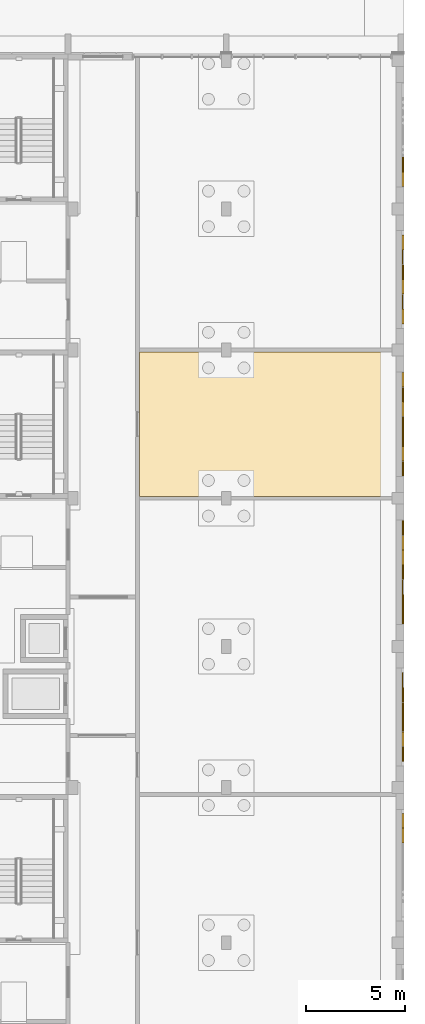
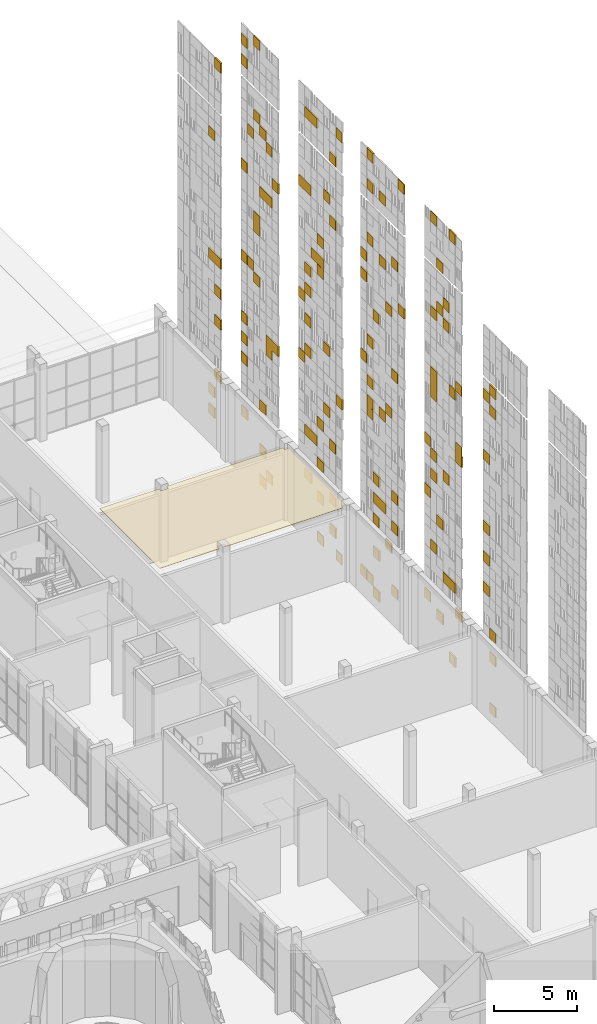
# One storey, part 111 of 125: 2 coverings.
"""IFC4 building model written with IfcOpenShell, lengths in metres."""

from ifc_helpers import new_model, si_unit, direction, frame, origin, origin_2d, place, context, subcontext, project, spatial, polyline, rectangle, outline, extrude, material, layer, layer_set, type_object, element, save


model = new_model("IFC4")

# Units and contexts
model_context = context("Model", 3, precision=1e-05, world=origin(), true_north=direction((0.0, 1.0)))
body_context = subcontext(model_context, "Body", "Model", "MODEL_VIEW")
ifc_project = project(units=[si_unit("LENGTHUNIT", "METRE"), si_unit("AREAUNIT", "SQUARE_METRE"), si_unit("VOLUMEUNIT", "CUBIC_METRE"), si_unit("PLANEANGLEUNIT", "RADIAN"), si_unit("MASSUNIT", "GRAM", prefix="KILO")], contexts=[model_context])

# Site, building, storey
site_placement = place(None, origin())
site = spatial("IfcSite", under=ifc_project, at=site_placement, CompositionType="ELEMENT")
building_placement = place(site_placement, origin())
building = spatial("IfcBuilding", under=site, at=building_placement, Name="Sun Court Science Centre", CompositionType="ELEMENT")
storey_placement = place(building_placement, origin())
storey = spatial("IfcBuildingStorey", under=building, at=storey_placement, Name="L00", CompositionType="ELEMENT", Elevation=0.0)

# Coverings
ifc_material_1 = material(Name="Gypsum board")
ifc_layer_1 = layer(ifc_material_1, 0.030029296875)
ifc_layer_set_1 = layer_set([ifc_layer_1], Name="Gypsum board")
covering_type_1 = type_object("IfcCoveringType", Name="Ceiling suspended 600 module", PredefinedType="CEILING", material=ifc_layer_set_1)
covering_1_placement = place(storey_placement, frame((0.0, 0.0, 5.27001953125)))
element("IfcCovering", 1, at=covering_1_placement, inside=storey, type_object=covering_type_1, Name="L00-056 ceiling", PredefinedType="CEILING", context=body_context, shape_type="SweptSolid", body=[
    extrude(outline(polyline([(103.39990234375, 58.60009765625), (95.25, 58.60009765625), (95.25, 58.85009765625), (94.75, 58.85009765625), (94.75, 58.60009765625), (90.60009765625, 58.60009765625), (90.60009765625, 65.89990234375), (94.75, 65.89990234375), (94.75, 65.64990234375), (95.25, 65.64990234375), (95.25, 65.89990234375), (103.39990234375, 65.89990234375), (103.39990234375, 65.699951171875), (103.800048828125, 65.699951171875), (103.800048828125, 58.800048828125), (103.39990234375, 58.800048828125), (103.39990234375, 58.60009765625)])), origin(), (0.0, 0.0, 1.0), 0.030029296875),
])
ifc_material_2 = material(Name="Terracotta shade 5", Category="masonry")
ifc_layer_2 = layer(ifc_material_2, 0.06005859375)
ifc_layer_set_2 = layer_set([ifc_layer_2], Name="Terracotta shade 5")
covering_type_2 = type_object("IfcCoveringType", Name="Terracotta pixel panel shade 5", PredefinedType="CLADDING", material=ifc_layer_set_2)
covering_2_placement = place(storey_placement, origin())
element("IfcCovering", 2, at=covering_2_placement, inside=storey, type_object=covering_type_2, Name="Terracotta pixel cladding shade 5 east party wall L00", PredefinedType="CLADDING", context=body_context, shape_type="SweptSolid", body=[
    extrude(rectangle(XDim=0.739990234375, YDim=0.06005859375, at=origin_2d()), frame((103.929931640625, 41.425048828125, 0.22998046875), z_axis=(0.0, 0.0, 1.0), x_axis=(0.0, -1.0, 0.0)), (0.0, 0.0, 1.0), 0.739990234375),
    extrude(rectangle(XDim=0.739990234375, YDim=0.06005859375, at=origin_2d()), frame((103.929931640625, 41.425048828125, 3.97998046875), z_axis=(0.0, 0.0, 1.0), x_axis=(0.0, -1.0, 0.0)), (0.0, 0.0, 1.0), 0.739990234375),
    extrude(rectangle(XDim=0.739990234375, YDim=0.10009765625, at=origin_2d()), frame((103.949951171875, 46.300048828125, 0.97998046875), z_axis=(0.0, 0.0, 1.0), x_axis=(0.0, -1.0, 0.0)), (0.0, 0.0, 1.0), 0.739990234375),
    extrude(rectangle(XDim=0.739990234375, YDim=0.10009765625, at=origin_2d()), frame((103.949951171875, 47.800048828125, 3.22998046875), z_axis=(0.0, 0.0, 1.0), x_axis=(0.0, -1.0, 0.0)), (0.0, 0.0, 1.0), 0.739990234375),
    extrude(rectangle(XDim=0.739990234375, YDim=0.06005859375, at=origin_2d()), frame((103.929931640625, 49.300048828125, 3.97998046875), z_axis=(0.0, 0.0, 1.0), x_axis=(0.0, -1.0, 0.0)), (0.0, 0.0, 1.0), 0.739990234375),
    extrude(rectangle(XDim=0.739990234375, YDim=0.10009765625, at=origin_2d()), frame((103.949951171875, 45.550048828125, 4.72998046875), z_axis=(0.0, 0.0, 1.0), x_axis=(0.0, -1.0, 0.0)), (0.0, 0.0, 1.0), 0.739990234375),
    extrude(rectangle(XDim=0.739990234375, YDim=0.10009765625, at=origin_2d()), frame((103.949951171875, 55.5, 0.22998046875), z_axis=(0.0, 0.0, 1.0), x_axis=(0.0, -1.0, 0.0)), (0.0, 0.0, 1.0), 0.739990234375),
    extrude(rectangle(XDim=0.739990234375, YDim=0.10009765625, at=origin_2d()), frame((103.949951171875, 57.0, 0.97998046875), z_axis=(0.0, 0.0, 1.0), x_axis=(0.0, -1.0, 0.0)), (0.0, 0.0, 1.0), 0.739990234375),
    extrude(rectangle(XDim=0.739990234375, YDim=0.06005859375, at=origin_2d()), frame((103.929931640625, 56.25, 0.97998046875), z_axis=(0.0, 0.0, 1.0), x_axis=(0.0, -1.0, 0.0)), (0.0, 0.0, 1.0), 0.739990234375),
    extrude(rectangle(XDim=0.739990234375, YDim=0.06005859375, at=origin_2d()), frame((103.929931640625, 53.25, 1.72998046875), z_axis=(0.0, 0.0, 1.0), x_axis=(0.0, -1.0, 0.0)), (0.0, 0.0, 1.0), 0.739990234375),
    extrude(rectangle(XDim=0.739990234375, YDim=0.10009765625, at=origin_2d()), frame((103.949951171875, 55.5, 3.22998046875), z_axis=(0.0, 0.0, 1.0), x_axis=(0.0, -1.0, 0.0)), (0.0, 0.0, 1.0), 0.739990234375),
    extrude(rectangle(XDim=0.739990234375, YDim=0.06005859375, at=origin_2d()), frame((103.929931640625, 54.0, 4.72998046875), z_axis=(0.0, 0.0, 1.0), x_axis=(0.0, -1.0, 0.0)), (0.0, 0.0, 1.0), 0.739990234375),
    extrude(rectangle(XDim=0.739990234375, YDim=0.06005859375, at=origin_2d()), frame((103.929931640625, 62.25, 0.22998046875), z_axis=(0.0, 0.0, 1.0), x_axis=(0.0, -1.0, 0.0)), (0.0, 0.0, 1.0), 0.739990234375),
    extrude(rectangle(XDim=0.739990234375, YDim=0.06005859375, at=origin_2d()), frame((103.929931640625, 60.0, 0.22998046875), z_axis=(0.0, 0.0, 1.0), x_axis=(0.0, -1.0, 0.0)), (0.0, 0.0, 1.0), 0.739990234375),
    extrude(rectangle(XDim=0.739990234375, YDim=0.10009765625, at=origin_2d()), frame((103.949951171875, 60.75, 1.72998046875), z_axis=(0.0, 0.0, 1.0), x_axis=(0.0, -1.0, 0.0)), (0.0, 0.0, 1.0), 0.739990234375),
    extrude(rectangle(XDim=0.739990234375, YDim=0.06005859375, at=origin_2d()), frame((103.929931640625, 62.25, 3.22998046875), z_axis=(0.0, 0.0, 1.0), x_axis=(0.0, -1.0, 0.0)), (0.0, 0.0, 1.0), 0.739990234375),
    extrude(rectangle(XDim=0.739990234375, YDim=0.10009765625, at=origin_2d()), frame((103.949951171875, 63.75, 3.97998046875), z_axis=(0.0, 0.0, 1.0), x_axis=(0.0, -1.0, 0.0)), (0.0, 0.0, 1.0), 0.739990234375),
    extrude(rectangle(XDim=0.739990234375, YDim=0.06005859375, at=origin_2d()), frame((103.929931640625, 60.75, 3.97998046875), z_axis=(0.0, 0.0, 1.0), x_axis=(0.0, -1.0, 0.0)), (0.0, 0.0, 1.0), 0.739990234375),
    extrude(rectangle(XDim=0.739990234375, YDim=0.06005859375, at=origin_2d()), frame((103.929931640625, 69.199951171875, 0.22998046875), z_axis=(0.0, 0.0, 1.0), x_axis=(0.0, -1.0, 0.0)), (0.0, 0.0, 1.0), 0.739990234375),
    extrude(rectangle(XDim=0.739990234375, YDim=0.06005859375, at=origin_2d()), frame((103.929931640625, 68.449951171875, 0.97998046875), z_axis=(0.0, 0.0, 1.0), x_axis=(0.0, -1.0, 0.0)), (0.0, 0.0, 1.0), 0.739990234375),
    extrude(rectangle(XDim=0.739990234375, YDim=0.06005859375, at=origin_2d()), frame((103.929931640625, 69.199951171875, 2.47998046875), z_axis=(0.0, 0.0, 1.0), x_axis=(0.0, -1.0, 0.0)), (0.0, 0.0, 1.0), 0.739990234375),
    extrude(rectangle(XDim=0.739990234375, YDim=0.10009765625, at=origin_2d()), frame((103.949951171875, 71.449951171875, 3.97998046875), z_axis=(0.0, 0.0, 1.0), x_axis=(0.0, -1.0, 0.0)), (0.0, 0.0, 1.0), 0.739990234375),
    extrude(rectangle(XDim=0.739990234375, YDim=0.10009765625, at=origin_2d()), frame((103.949951171875, 75.39990234375, 1.72998046875), z_axis=(0.0, 0.0, 1.0), x_axis=(0.0, -1.0, 0.0)), (0.0, 0.0, 1.0), 0.739990234375),
    extrude(rectangle(XDim=0.739990234375, YDim=0.10009765625, at=origin_2d()), frame((103.949951171875, 75.39990234375, 3.22998046875), z_axis=(0.0, 0.0, 1.0), x_axis=(0.0, -1.0, 0.0)), (0.0, 0.0, 1.0), 0.739990234375),
    extrude(rectangle(XDim=0.739990234375, YDim=0.10009765625, at=origin_2d()), frame((103.949951171875, 74.64990234375, 4.72998046875), z_axis=(0.0, 0.0, 1.0), x_axis=(0.0, -1.0, 0.0)), (0.0, 0.0, 1.0), 0.739990234375),
    extrude(rectangle(XDim=0.739990234375, YDim=0.06005859375, at=origin_2d()), frame((103.929931640625, 41.425048828125, 5.705078125), z_axis=(0.0, 0.0, 1.0), x_axis=(0.0, -1.0, 0.0)), (0.0, 0.0, 1.0), 0.739990234375),
    extrude(rectangle(XDim=0.739990234375, YDim=0.10009765625, at=origin_2d()), frame((103.949951171875, 42.175048828125, 8.705078125), z_axis=(0.0, 0.0, 1.0), x_axis=(0.0, -1.0, 0.0)), (0.0, 0.0, 1.0), 0.739990234375),
    extrude(rectangle(XDim=0.739990234375, YDim=0.06005859375, at=origin_2d()), frame((103.929931640625, 47.050048828125, 6.455078125), z_axis=(0.0, 0.0, 1.0), x_axis=(0.0, -1.0, 0.0)), (0.0, 0.0, 1.0), 0.739990234375),
    extrude(rectangle(XDim=0.739990234375, YDim=0.10009765625, at=origin_2d()), frame((103.949951171875, 46.300048828125, 6.455078125), z_axis=(0.0, 0.0, 1.0), x_axis=(0.0, -1.0, 0.0)), (0.0, 0.0, 1.0), 0.739990234375),
    extrude(rectangle(XDim=0.739990234375, YDim=0.06005859375, at=origin_2d()), frame((103.929931640625, 48.550048828125, 7.955078125), z_axis=(0.0, 0.0, 1.0), x_axis=(0.0, -1.0, 0.0)), (0.0, 0.0, 1.0), 0.739990234375),
    extrude(rectangle(XDim=0.739990234375, YDim=0.10009765625, at=origin_2d()), frame((103.949951171875, 47.800048828125, 10.205078125), z_axis=(0.0, 0.0, 1.0), x_axis=(0.0, -1.0, 0.0)), (0.0, 0.0, 1.0), 0.739990234375),
    extrude(rectangle(XDim=0.739990234375, YDim=0.06005859375, at=origin_2d()), frame((103.929931640625, 55.5, 5.705078125), z_axis=(0.0, 0.0, 1.0), x_axis=(0.0, -1.0, 0.0)), (0.0, 0.0, 1.0), 0.739990234375),
    extrude(rectangle(XDim=0.739990234375, YDim=0.10009765625, at=origin_2d()), frame((103.949951171875, 53.25, 6.455078125), z_axis=(0.0, 0.0, 1.0), x_axis=(0.0, -1.0, 0.0)), (0.0, 0.0, 1.0), 0.739990234375),
    extrude(rectangle(XDim=0.739990234375, YDim=0.06005859375, at=origin_2d()), frame((103.929931640625, 55.5, 7.205078125), z_axis=(0.0, 0.0, 1.0), x_axis=(0.0, -1.0, 0.0)), (0.0, 0.0, 1.0), 0.739990234375),
    extrude(rectangle(XDim=0.739990234375, YDim=0.10009765625, at=origin_2d()), frame((103.949951171875, 54.75, 7.205078125), z_axis=(0.0, 0.0, 1.0), x_axis=(0.0, -1.0, 0.0)), (0.0, 0.0, 1.0), 0.739990234375),
    extrude(rectangle(XDim=0.739990234375, YDim=0.10009765625, at=origin_2d()), frame((103.949951171875, 55.5, 8.705078125), z_axis=(0.0, 0.0, 1.0), x_axis=(0.0, -1.0, 0.0)), (0.0, 0.0, 1.0), 0.739990234375),
    extrude(rectangle(XDim=0.739990234375, YDim=0.10009765625, at=origin_2d()), frame((103.949951171875, 53.25, 8.705078125), z_axis=(0.0, 0.0, 1.0), x_axis=(0.0, -1.0, 0.0)), (0.0, 0.0, 1.0), 0.739990234375),
    extrude(rectangle(XDim=0.739990234375, YDim=0.10009765625, at=origin_2d()), frame((103.949951171875, 62.25, 5.705078125), z_axis=(0.0, 0.0, 1.0), x_axis=(0.0, -1.0, 0.0)), (0.0, 0.0, 1.0), 0.739990234375),
    extrude(rectangle(XDim=0.739990234375, YDim=0.10009765625, at=origin_2d()), frame((103.949951171875, 63.75, 7.205078125), z_axis=(0.0, 0.0, 1.0), x_axis=(0.0, -1.0, 0.0)), (0.0, 0.0, 1.0), 0.739990234375),
    extrude(rectangle(XDim=0.739990234375, YDim=0.06005859375, at=origin_2d()), frame((103.929931640625, 63.0, 7.205078125), z_axis=(0.0, 0.0, 1.0), x_axis=(0.0, -1.0, 0.0)), (0.0, 0.0, 1.0), 0.739990234375),
    extrude(rectangle(XDim=0.739990234375, YDim=0.06005859375, at=origin_2d()), frame((103.929931640625, 60.75, 7.955078125), z_axis=(0.0, 0.0, 1.0), x_axis=(0.0, -1.0, 0.0)), (0.0, 0.0, 1.0), 0.739990234375),
    extrude(rectangle(XDim=0.739990234375, YDim=0.06005859375, at=origin_2d()), frame((103.929931640625, 62.25, 8.705078125), z_axis=(0.0, 0.0, 1.0), x_axis=(0.0, -1.0, 0.0)), (0.0, 0.0, 1.0), 0.739990234375),
    extrude(rectangle(XDim=0.739990234375, YDim=0.10009765625, at=origin_2d()), frame((103.949951171875, 61.5, 10.205078125), z_axis=(0.0, 0.0, 1.0), x_axis=(0.0, -1.0, 0.0)), (0.0, 0.0, 1.0), 0.739990234375),
    extrude(rectangle(XDim=0.739990234375, YDim=0.10009765625, at=origin_2d()), frame((103.949951171875, 69.199951171875, 5.705078125), z_axis=(0.0, 0.0, 1.0), x_axis=(0.0, -1.0, 0.0)), (0.0, 0.0, 1.0), 0.739990234375),
    extrude(rectangle(XDim=0.739990234375, YDim=0.06005859375, at=origin_2d()), frame((103.929931640625, 71.449951171875, 7.955078125), z_axis=(0.0, 0.0, 1.0), x_axis=(0.0, -1.0, 0.0)), (0.0, 0.0, 1.0), 0.739990234375),
    extrude(rectangle(XDim=0.739990234375, YDim=0.06005859375, at=origin_2d()), frame((103.929931640625, 71.449951171875, 9.455078125), z_axis=(0.0, 0.0, 1.0), x_axis=(0.0, -1.0, 0.0)), (0.0, 0.0, 1.0), 0.739990234375),
    extrude(rectangle(XDim=0.739990234375, YDim=0.06005859375, at=origin_2d()), frame((103.929931640625, 68.449951171875, 10.205078125), z_axis=(0.0, 0.0, 1.0), x_axis=(0.0, -1.0, 0.0)), (0.0, 0.0, 1.0), 0.739990234375),
    extrude(rectangle(XDim=0.739990234375, YDim=0.10009765625, at=origin_2d()), frame((103.949951171875, 74.64990234375, 8.705078125), z_axis=(0.0, 0.0, 1.0), x_axis=(0.0, -1.0, 0.0)), (0.0, 0.0, 1.0), 0.739990234375),
    extrude(rectangle(XDim=0.739990234375, YDim=0.10009765625, at=origin_2d()), frame((103.949951171875, 42.175048828125, 10.955078125), z_axis=(0.0, 0.0, 1.0), x_axis=(0.0, -1.0, 0.0)), (0.0, 0.0, 1.0), 0.739990234375),
    extrude(rectangle(XDim=0.739990234375, YDim=0.10009765625, at=origin_2d()), frame((103.949951171875, 42.175048828125, 13.205078125), z_axis=(0.0, 0.0, 1.0), x_axis=(0.0, -1.0, 0.0)), (0.0, 0.0, 1.0), 0.739990234375),
    extrude(rectangle(XDim=0.739990234375, YDim=0.06005859375, at=origin_2d()), frame((103.929931640625, 49.300048828125, 11.705078125), z_axis=(0.0, 0.0, 1.0), x_axis=(0.0, -1.0, 0.0)), (0.0, 0.0, 1.0), 0.739990234375),
    extrude(rectangle(XDim=0.739990234375, YDim=0.10009765625, at=origin_2d()), frame((103.949951171875, 48.550048828125, 13.205078125), z_axis=(0.0, 0.0, 1.0), x_axis=(0.0, -1.0, 0.0)), (0.0, 0.0, 1.0), 0.739990234375),
    extrude(rectangle(XDim=0.739990234375, YDim=0.06005859375, at=origin_2d()), frame((103.929931640625, 47.050048828125, 13.955078125), z_axis=(0.0, 0.0, 1.0), x_axis=(0.0, -1.0, 0.0)), (0.0, 0.0, 1.0), 0.739990234375),
    extrude(rectangle(XDim=0.739990234375, YDim=0.06005859375, at=origin_2d()), frame((103.929931640625, 48.550048828125, 14.705078125), z_axis=(0.0, 0.0, 1.0), x_axis=(0.0, -1.0, 0.0)), (0.0, 0.0, 1.0), 0.739990234375),
    extrude(rectangle(XDim=0.739990234375, YDim=0.06005859375, at=origin_2d()), frame((103.929931640625, 56.25, 13.205078125), z_axis=(0.0, 0.0, 1.0), x_axis=(0.0, -1.0, 0.0)), (0.0, 0.0, 1.0), 0.739990234375),
    extrude(rectangle(XDim=0.739990234375, YDim=0.10009765625, at=origin_2d()), frame((103.949951171875, 56.25, 13.955078125), z_axis=(0.0, 0.0, 1.0), x_axis=(0.0, -1.0, 0.0)), (0.0, 0.0, 1.0), 0.739990234375),
    extrude(rectangle(XDim=0.739990234375, YDim=0.06005859375, at=origin_2d()), frame((103.929931640625, 54.75, 13.955078125), z_axis=(0.0, 0.0, 1.0), x_axis=(0.0, -1.0, 0.0)), (0.0, 0.0, 1.0), 0.739990234375),
    extrude(rectangle(XDim=0.739990234375, YDim=0.06005859375, at=origin_2d()), frame((103.929931640625, 54.0, 14.705078125), z_axis=(0.0, 0.0, 1.0), x_axis=(0.0, -1.0, 0.0)), (0.0, 0.0, 1.0), 0.739990234375),
    extrude(rectangle(XDim=0.739990234375, YDim=0.10009765625, at=origin_2d()), frame((103.949951171875, 60.0, 11.705078125), z_axis=(0.0, 0.0, 1.0), x_axis=(0.0, -1.0, 0.0)), (0.0, 0.0, 1.0), 0.739990234375),
    extrude(rectangle(XDim=0.739990234375, YDim=0.06005859375, at=origin_2d()), frame((103.929931640625, 64.5, 12.455078125), z_axis=(0.0, 0.0, 1.0), x_axis=(0.0, -1.0, 0.0)), (0.0, 0.0, 1.0), 0.739990234375),
    extrude(rectangle(XDim=0.739990234375, YDim=0.10009765625, at=origin_2d()), frame((103.949951171875, 63.75, 13.205078125), z_axis=(0.0, 0.0, 1.0), x_axis=(0.0, -1.0, 0.0)), (0.0, 0.0, 1.0), 0.739990234375),
    extrude(rectangle(XDim=0.739990234375, YDim=0.10009765625, at=origin_2d()), frame((103.949951171875, 61.5, 14.705078125), z_axis=(0.0, 0.0, 1.0), x_axis=(0.0, -1.0, 0.0)), (0.0, 0.0, 1.0), 0.739990234375),
    extrude(rectangle(XDim=0.739990234375, YDim=0.06005859375, at=origin_2d()), frame((103.929931640625, 71.449951171875, 10.955078125), z_axis=(0.0, 0.0, 1.0), x_axis=(0.0, -1.0, 0.0)), (0.0, 0.0, 1.0), 0.739990234375),
    extrude(rectangle(XDim=0.739990234375, YDim=0.06005859375, at=origin_2d()), frame((103.929931640625, 68.449951171875, 10.955078125), z_axis=(0.0, 0.0, 1.0), x_axis=(0.0, -1.0, 0.0)), (0.0, 0.0, 1.0), 0.739990234375),
    extrude(rectangle(XDim=0.739990234375, YDim=0.10009765625, at=origin_2d()), frame((103.949951171875, 67.699951171875, 10.955078125), z_axis=(0.0, 0.0, 1.0), x_axis=(0.0, -1.0, 0.0)), (0.0, 0.0, 1.0), 0.739990234375),
    extrude(rectangle(XDim=0.739990234375, YDim=0.06005859375, at=origin_2d()), frame((103.929931640625, 69.949951171875, 14.705078125), z_axis=(0.0, 0.0, 1.0), x_axis=(0.0, -1.0, 0.0)), (0.0, 0.0, 1.0), 0.739990234375),
    extrude(rectangle(XDim=0.739990234375, YDim=0.06005859375, at=origin_2d()), frame((103.929931640625, 74.64990234375, 10.955078125), z_axis=(0.0, 0.0, 1.0), x_axis=(0.0, -1.0, 0.0)), (0.0, 0.0, 1.0), 0.739990234375),
    extrude(rectangle(XDim=0.739990234375, YDim=0.10009765625, at=origin_2d()), frame((103.949951171875, 75.39990234375, 13.205078125), z_axis=(0.0, 0.0, 1.0), x_axis=(0.0, -1.0, 0.0)), (0.0, 0.0, 1.0), 0.739990234375),
    extrude(rectangle(XDim=0.739990234375, YDim=0.10009765625, at=origin_2d()), frame((103.949951171875, 74.64990234375, 13.205078125), z_axis=(0.0, 0.0, 1.0), x_axis=(0.0, -1.0, 0.0)), (0.0, 0.0, 1.0), 0.739990234375),
    extrude(rectangle(XDim=0.739990234375, YDim=0.06005859375, at=origin_2d()), frame((103.929931640625, 42.175048828125, 18.455078125), z_axis=(0.0, 0.0, 1.0), x_axis=(0.0, -1.0, 0.0)), (0.0, 0.0, 1.0), 0.739990234375),
    extrude(rectangle(XDim=0.739990234375, YDim=0.06005859375, at=origin_2d()), frame((103.929931640625, 49.300048828125, 15.455078125), z_axis=(0.0, 0.0, 1.0), x_axis=(0.0, -1.0, 0.0)), (0.0, 0.0, 1.0), 0.739990234375),
    extrude(rectangle(XDim=0.739990234375, YDim=0.10009765625, at=origin_2d()), frame((103.949951171875, 45.550048828125, 16.205078125), z_axis=(0.0, 0.0, 1.0), x_axis=(0.0, -1.0, 0.0)), (0.0, 0.0, 1.0), 0.739990234375),
    extrude(rectangle(XDim=0.739990234375, YDim=0.06005859375, at=origin_2d()), frame((103.929931640625, 45.550048828125, 16.955078125), z_axis=(0.0, 0.0, 1.0), x_axis=(0.0, -1.0, 0.0)), (0.0, 0.0, 1.0), 0.739990234375),
    extrude(rectangle(XDim=0.739990234375, YDim=0.06005859375, at=origin_2d()), frame((103.929931640625, 48.550048828125, 19.205078125), z_axis=(0.0, 0.0, 1.0), x_axis=(0.0, -1.0, 0.0)), (0.0, 0.0, 1.0), 0.739990234375),
    extrude(rectangle(XDim=0.739990234375, YDim=0.10009765625, at=origin_2d()), frame((103.949951171875, 56.25, 15.455078125), z_axis=(0.0, 0.0, 1.0), x_axis=(0.0, -1.0, 0.0)), (0.0, 0.0, 1.0), 0.739990234375),
    extrude(rectangle(XDim=0.739990234375, YDim=0.06005859375, at=origin_2d()), frame((103.929931640625, 57.0, 16.955078125), z_axis=(0.0, 0.0, 1.0), x_axis=(0.0, -1.0, 0.0)), (0.0, 0.0, 1.0), 0.739990234375),
    extrude(rectangle(XDim=0.739990234375, YDim=0.06005859375, at=origin_2d()), frame((103.929931640625, 53.25, 17.705078125), z_axis=(0.0, 0.0, 1.0), x_axis=(0.0, -1.0, 0.0)), (0.0, 0.0, 1.0), 0.739990234375),
    extrude(rectangle(XDim=0.739990234375, YDim=0.10009765625, at=origin_2d()), frame((103.949951171875, 56.25, 18.455078125), z_axis=(0.0, 0.0, 1.0), x_axis=(0.0, -1.0, 0.0)), (0.0, 0.0, 1.0), 0.739990234375),
    extrude(rectangle(XDim=0.739990234375, YDim=0.06005859375, at=origin_2d()), frame((103.929931640625, 63.75, 15.455078125), z_axis=(0.0, 0.0, 1.0), x_axis=(0.0, -1.0, 0.0)), (0.0, 0.0, 1.0), 0.739990234375),
    extrude(rectangle(XDim=0.739990234375, YDim=0.10009765625, at=origin_2d()), frame((103.949951171875, 64.5, 16.955078125), z_axis=(0.0, 0.0, 1.0), x_axis=(0.0, -1.0, 0.0)), (0.0, 0.0, 1.0), 0.739990234375),
    extrude(rectangle(XDim=0.739990234375, YDim=0.10009765625, at=origin_2d()), frame((103.949951171875, 63.75, 17.705078125), z_axis=(0.0, 0.0, 1.0), x_axis=(0.0, -1.0, 0.0)), (0.0, 0.0, 1.0), 0.739990234375),
    extrude(rectangle(XDim=0.739990234375, YDim=0.10009765625, at=origin_2d()), frame((103.949951171875, 63.75, 19.205078125), z_axis=(0.0, 0.0, 1.0), x_axis=(0.0, -1.0, 0.0)), (0.0, 0.0, 1.0), 0.739990234375),
    extrude(rectangle(XDim=0.739990234375, YDim=0.10009765625, at=origin_2d()), frame((103.949951171875, 71.449951171875, 15.455078125), z_axis=(0.0, 0.0, 1.0), x_axis=(0.0, -1.0, 0.0)), (0.0, 0.0, 1.0), 0.739990234375),
    extrude(rectangle(XDim=0.739990234375, YDim=0.06005859375, at=origin_2d()), frame((103.929931640625, 70.699951171875, 15.455078125), z_axis=(0.0, 0.0, 1.0), x_axis=(0.0, -1.0, 0.0)), (0.0, 0.0, 1.0), 0.739990234375),
    extrude(rectangle(XDim=0.739990234375, YDim=0.06005859375, at=origin_2d()), frame((103.929931640625, 69.949951171875, 18.455078125), z_axis=(0.0, 0.0, 1.0), x_axis=(0.0, -1.0, 0.0)), (0.0, 0.0, 1.0), 0.739990234375),
    extrude(rectangle(XDim=0.739990234375, YDim=0.06005859375, at=origin_2d()), frame((103.929931640625, 69.949951171875, 19.205078125), z_axis=(0.0, 0.0, 1.0), x_axis=(0.0, -1.0, 0.0)), (0.0, 0.0, 1.0), 0.739990234375),
    extrude(rectangle(XDim=0.739990234375, YDim=0.06005859375, at=origin_2d()), frame((103.929931640625, 41.425048828125, 22.205078125), z_axis=(0.0, 0.0, 1.0), x_axis=(0.0, -1.0, 0.0)), (0.0, 0.0, 1.0), 0.739990234375),
    extrude(rectangle(XDim=0.739990234375, YDim=0.10009765625, at=origin_2d()), frame((103.949951171875, 42.175048828125, 22.955078125), z_axis=(0.0, 0.0, 1.0), x_axis=(0.0, -1.0, 0.0)), (0.0, 0.0, 1.0), 0.739990234375),
    extrude(rectangle(XDim=0.739990234375, YDim=0.10009765625, at=origin_2d()), frame((103.949951171875, 41.425048828125, 23.705078125), z_axis=(0.0, 0.0, 1.0), x_axis=(0.0, -1.0, 0.0)), (0.0, 0.0, 1.0), 0.739990234375),
    extrude(rectangle(XDim=0.739990234375, YDim=0.10009765625, at=origin_2d()), frame((103.949951171875, 48.550048828125, 19.955078125), z_axis=(0.0, 0.0, 1.0), x_axis=(0.0, -1.0, 0.0)), (0.0, 0.0, 1.0), 0.739990234375),
    extrude(rectangle(XDim=0.739990234375, YDim=0.10009765625, at=origin_2d()), frame((103.949951171875, 48.550048828125, 20.705078125), z_axis=(0.0, 0.0, 1.0), x_axis=(0.0, -1.0, 0.0)), (0.0, 0.0, 1.0), 0.739990234375),
    extrude(rectangle(XDim=0.739990234375, YDim=0.10009765625, at=origin_2d()), frame((103.949951171875, 46.300048828125, 20.705078125), z_axis=(0.0, 0.0, 1.0), x_axis=(0.0, -1.0, 0.0)), (0.0, 0.0, 1.0), 0.739990234375),
    extrude(rectangle(XDim=0.739990234375, YDim=0.06005859375, at=origin_2d()), frame((103.929931640625, 45.550048828125, 21.455078125), z_axis=(0.0, 0.0, 1.0), x_axis=(0.0, -1.0, 0.0)), (0.0, 0.0, 1.0), 0.739990234375),
    extrude(rectangle(XDim=0.739990234375, YDim=0.10009765625, at=origin_2d()), frame((103.949951171875, 55.5, 20.705078125), z_axis=(0.0, 0.0, 1.0), x_axis=(0.0, -1.0, 0.0)), (0.0, 0.0, 1.0), 0.739990234375),
    extrude(rectangle(XDim=0.739990234375, YDim=0.06005859375, at=origin_2d()), frame((103.929931640625, 54.0, 22.205078125), z_axis=(0.0, 0.0, 1.0), x_axis=(0.0, -1.0, 0.0)), (0.0, 0.0, 1.0), 0.739990234375),
    extrude(rectangle(XDim=0.739990234375, YDim=0.10009765625, at=origin_2d()), frame((103.949951171875, 57.0, 22.955078125), z_axis=(0.0, 0.0, 1.0), x_axis=(0.0, -1.0, 0.0)), (0.0, 0.0, 1.0), 0.739990234375),
    extrude(rectangle(XDim=0.739990234375, YDim=0.10009765625, at=origin_2d()), frame((103.949951171875, 52.5, 22.955078125), z_axis=(0.0, 0.0, 1.0), x_axis=(0.0, -1.0, 0.0)), (0.0, 0.0, 1.0), 0.739990234375),
    extrude(rectangle(XDim=0.739990234375, YDim=0.06005859375, at=origin_2d()), frame((103.929931640625, 62.25, 19.955078125), z_axis=(0.0, 0.0, 1.0), x_axis=(0.0, -1.0, 0.0)), (0.0, 0.0, 1.0), 0.739990234375),
    extrude(rectangle(XDim=0.739990234375, YDim=0.06005859375, at=origin_2d()), frame((103.929931640625, 63.0, 20.705078125), z_axis=(0.0, 0.0, 1.0), x_axis=(0.0, -1.0, 0.0)), (0.0, 0.0, 1.0), 0.739990234375),
    extrude(rectangle(XDim=0.739990234375, YDim=0.10009765625, at=origin_2d()), frame((103.949951171875, 62.25, 20.705078125), z_axis=(0.0, 0.0, 1.0), x_axis=(0.0, -1.0, 0.0)), (0.0, 0.0, 1.0), 0.739990234375),
    extrude(rectangle(XDim=0.739990234375, YDim=0.06005859375, at=origin_2d()), frame((103.929931640625, 62.25, 22.205078125), z_axis=(0.0, 0.0, 1.0), x_axis=(0.0, -1.0, 0.0)), (0.0, 0.0, 1.0), 0.739990234375),
    extrude(rectangle(XDim=0.739990234375, YDim=0.06005859375, at=origin_2d()), frame((103.929931640625, 69.199951171875, 21.455078125), z_axis=(0.0, 0.0, 1.0), x_axis=(0.0, -1.0, 0.0)), (0.0, 0.0, 1.0), 0.739990234375),
    extrude(rectangle(XDim=0.739990234375, YDim=0.06005859375, at=origin_2d()), frame((103.929931640625, 68.449951171875, 21.455078125), z_axis=(0.0, 0.0, 1.0), x_axis=(0.0, -1.0, 0.0)), (0.0, 0.0, 1.0), 0.739990234375),
    extrude(rectangle(XDim=0.739990234375, YDim=0.06005859375, at=origin_2d()), frame((103.929931640625, 71.449951171875, 22.205078125), z_axis=(0.0, 0.0, 1.0), x_axis=(0.0, -1.0, 0.0)), (0.0, 0.0, 1.0), 0.739990234375),
    extrude(rectangle(XDim=0.739990234375, YDim=0.10009765625, at=origin_2d()), frame((103.949951171875, 67.699951171875, 22.955078125), z_axis=(0.0, 0.0, 1.0), x_axis=(0.0, -1.0, 0.0)), (0.0, 0.0, 1.0), 0.739990234375),
    extrude(rectangle(XDim=0.739990234375, YDim=0.06005859375, at=origin_2d()), frame((103.929931640625, 75.39990234375, 22.205078125), z_axis=(0.0, 0.0, 1.0), x_axis=(0.0, -1.0, 0.0)), (0.0, 0.0, 1.0), 0.739990234375),
    extrude(rectangle(XDim=0.739990234375, YDim=0.10009765625, at=origin_2d()), frame((103.949951171875, 48.550048828125, 25.205078125), z_axis=(0.0, 0.0, 1.0), x_axis=(0.0, -1.0, 0.0)), (0.0, 0.0, 1.0), 0.739990234375),
    extrude(rectangle(XDim=0.739990234375, YDim=0.10009765625, at=origin_2d()), frame((103.949951171875, 47.050048828125, 25.205078125), z_axis=(0.0, 0.0, 1.0), x_axis=(0.0, -1.0, 0.0)), (0.0, 0.0, 1.0), 0.739990234375),
    extrude(rectangle(XDim=0.739990234375, YDim=0.06005859375, at=origin_2d()), frame((103.929931640625, 47.800048828125, 25.955078125), z_axis=(0.0, 0.0, 1.0), x_axis=(0.0, -1.0, 0.0)), (0.0, 0.0, 1.0), 0.739990234375),
    extrude(rectangle(XDim=0.739990234375, YDim=0.06005859375, at=origin_2d()), frame((103.929931640625, 47.050048828125, 26.705078125), z_axis=(0.0, 0.0, 1.0), x_axis=(0.0, -1.0, 0.0)), (0.0, 0.0, 1.0), 0.739990234375),
    extrude(rectangle(XDim=0.739990234375, YDim=0.06005859375, at=origin_2d()), frame((103.929931640625, 57.0, 24.455078125), z_axis=(0.0, 0.0, 1.0), x_axis=(0.0, -1.0, 0.0)), (0.0, 0.0, 1.0), 0.739990234375),
    extrude(rectangle(XDim=0.739990234375, YDim=0.06005859375, at=origin_2d()), frame((103.929931640625, 54.75, 25.205078125), z_axis=(0.0, 0.0, 1.0), x_axis=(0.0, -1.0, 0.0)), (0.0, 0.0, 1.0), 0.739990234375),
    extrude(rectangle(XDim=0.739990234375, YDim=0.06005859375, at=origin_2d()), frame((103.929931640625, 56.25, 25.955078125), z_axis=(0.0, 0.0, 1.0), x_axis=(0.0, -1.0, 0.0)), (0.0, 0.0, 1.0), 0.739990234375),
    extrude(rectangle(XDim=0.739990234375, YDim=0.06005859375, at=origin_2d()), frame((103.929931640625, 53.25, 25.955078125), z_axis=(0.0, 0.0, 1.0), x_axis=(0.0, -1.0, 0.0)), (0.0, 0.0, 1.0), 0.739990234375),
    extrude(rectangle(XDim=0.739990234375, YDim=0.10009765625, at=origin_2d()), frame((103.949951171875, 60.75, 24.455078125), z_axis=(0.0, 0.0, 1.0), x_axis=(0.0, -1.0, 0.0)), (0.0, 0.0, 1.0), 0.739990234375),
    extrude(rectangle(XDim=0.739990234375, YDim=0.10009765625, at=origin_2d()), frame((103.949951171875, 64.5, 25.205078125), z_axis=(0.0, 0.0, 1.0), x_axis=(0.0, -1.0, 0.0)), (0.0, 0.0, 1.0), 0.739990234375),
    extrude(rectangle(XDim=0.739990234375, YDim=0.06005859375, at=origin_2d()), frame((103.929931640625, 63.75, 25.205078125), z_axis=(0.0, 0.0, 1.0), x_axis=(0.0, -1.0, 0.0)), (0.0, 0.0, 1.0), 0.739990234375),
    extrude(rectangle(XDim=0.739990234375, YDim=0.06005859375, at=origin_2d()), frame((103.929931640625, 61.5, 25.955078125), z_axis=(0.0, 0.0, 1.0), x_axis=(0.0, -1.0, 0.0)), (0.0, 0.0, 1.0), 0.739990234375),
    extrude(rectangle(XDim=0.739990234375, YDim=0.06005859375, at=origin_2d()), frame((103.929931640625, 70.699951171875, 25.205078125), z_axis=(0.0, 0.0, 1.0), x_axis=(0.0, -1.0, 0.0)), (0.0, 0.0, 1.0), 0.739990234375),
    extrude(rectangle(XDim=0.739990234375, YDim=0.06005859375, at=origin_2d()), frame((103.929931640625, 68.449951171875, 25.205078125), z_axis=(0.0, 0.0, 1.0), x_axis=(0.0, -1.0, 0.0)), (0.0, 0.0, 1.0), 0.739990234375),
    extrude(rectangle(XDim=0.739990234375, YDim=0.10009765625, at=origin_2d()), frame((103.949951171875, 69.199951171875, 25.955078125), z_axis=(0.0, 0.0, 1.0), x_axis=(0.0, -1.0, 0.0)), (0.0, 0.0, 1.0), 0.739990234375),
    extrude(rectangle(XDim=0.739990234375, YDim=0.10009765625, at=origin_2d()), frame((103.949951171875, 69.949951171875, 26.705078125), z_axis=(0.0, 0.0, 1.0), x_axis=(0.0, -1.0, 0.0)), (0.0, 0.0, 1.0), 0.739990234375),
    extrude(rectangle(XDim=0.739990234375, YDim=0.10009765625, at=origin_2d()), frame((103.949951171875, 74.64990234375, 27.65478515625), z_axis=(0.0, 0.0, 1.0), x_axis=(0.0, -1.0, 0.0)), (0.0, 0.0, 1.0), 0.739990234375),
    extrude(rectangle(XDim=0.739990234375, YDim=0.06005859375, at=origin_2d()), frame((103.929931640625, 47.800048828125, 29.15478515625), z_axis=(0.0, 0.0, 1.0), x_axis=(0.0, -1.0, 0.0)), (0.0, 0.0, 1.0), 0.739990234375),
    extrude(rectangle(XDim=0.739990234375, YDim=0.06005859375, at=origin_2d()), frame((103.929931640625, 48.550048828125, 32.15478515625), z_axis=(0.0, 0.0, 1.0), x_axis=(0.0, -1.0, 0.0)), (0.0, 0.0, 1.0), 0.739990234375),
    extrude(rectangle(XDim=0.739990234375, YDim=0.10009765625, at=origin_2d()), frame((103.949951171875, 46.300048828125, 32.15478515625), z_axis=(0.0, 0.0, 1.0), x_axis=(0.0, -1.0, 0.0)), (0.0, 0.0, 1.0), 0.739990234375),
    extrude(rectangle(XDim=0.739990234375, YDim=0.10009765625, at=origin_2d()), frame((103.949951171875, 56.25, 29.90478515625), z_axis=(0.0, 0.0, 1.0), x_axis=(0.0, -1.0, 0.0)), (0.0, 0.0, 1.0), 0.739990234375),
    extrude(rectangle(XDim=0.739990234375, YDim=0.06005859375, at=origin_2d()), frame((103.929931640625, 54.75, 29.90478515625), z_axis=(0.0, 0.0, 1.0), x_axis=(0.0, -1.0, 0.0)), (0.0, 0.0, 1.0), 0.739990234375),
    extrude(rectangle(XDim=0.739990234375, YDim=0.10009765625, at=origin_2d()), frame((103.949951171875, 56.25, 32.15478515625), z_axis=(0.0, 0.0, 1.0), x_axis=(0.0, -1.0, 0.0)), (0.0, 0.0, 1.0), 0.739990234375),
    extrude(rectangle(XDim=0.739990234375, YDim=0.06005859375, at=origin_2d()), frame((103.929931640625, 52.5, 32.15478515625), z_axis=(0.0, 0.0, 1.0), x_axis=(0.0, -1.0, 0.0)), (0.0, 0.0, 1.0), 0.739990234375),
    extrude(rectangle(XDim=0.739990234375, YDim=0.10009765625, at=origin_2d()), frame((103.949951171875, 60.75, 29.15478515625), z_axis=(0.0, 0.0, 1.0), x_axis=(0.0, -1.0, 0.0)), (0.0, 0.0, 1.0), 0.739990234375),
    extrude(rectangle(XDim=0.739990234375, YDim=0.06005859375, at=origin_2d()), frame((103.929931640625, 63.75, 30.65478515625), z_axis=(0.0, 0.0, 1.0), x_axis=(0.0, -1.0, 0.0)), (0.0, 0.0, 1.0), 0.739990234375),
    extrude(rectangle(XDim=0.739990234375, YDim=0.10009765625, at=origin_2d()), frame((103.949951171875, 63.0, 30.65478515625), z_axis=(0.0, 0.0, 1.0), x_axis=(0.0, -1.0, 0.0)), (0.0, 0.0, 1.0), 0.739990234375),
    extrude(rectangle(XDim=0.739990234375, YDim=0.06005859375, at=origin_2d()), frame((103.929931640625, 60.0, 31.40478515625), z_axis=(0.0, 0.0, 1.0), x_axis=(0.0, -1.0, 0.0)), (0.0, 0.0, 1.0), 0.739990234375),
    extrude(rectangle(XDim=0.739990234375, YDim=0.06005859375, at=origin_2d()), frame((103.929931640625, 71.449951171875, 29.90478515625), z_axis=(0.0, 0.0, 1.0), x_axis=(0.0, -1.0, 0.0)), (0.0, 0.0, 1.0), 0.739990234375),
    extrude(rectangle(XDim=0.739990234375, YDim=0.10009765625, at=origin_2d()), frame((103.949951171875, 71.449951171875, 31.40478515625), z_axis=(0.0, 0.0, 1.0), x_axis=(0.0, -1.0, 0.0)), (0.0, 0.0, 1.0), 0.739990234375),
    extrude(rectangle(XDim=0.739990234375, YDim=0.06005859375, at=origin_2d()), frame((103.929931640625, 69.949951171875, 32.15478515625), z_axis=(0.0, 0.0, 1.0), x_axis=(0.0, -1.0, 0.0)), (0.0, 0.0, 1.0), 0.739990234375),
])

save(model, "model.ifc")
